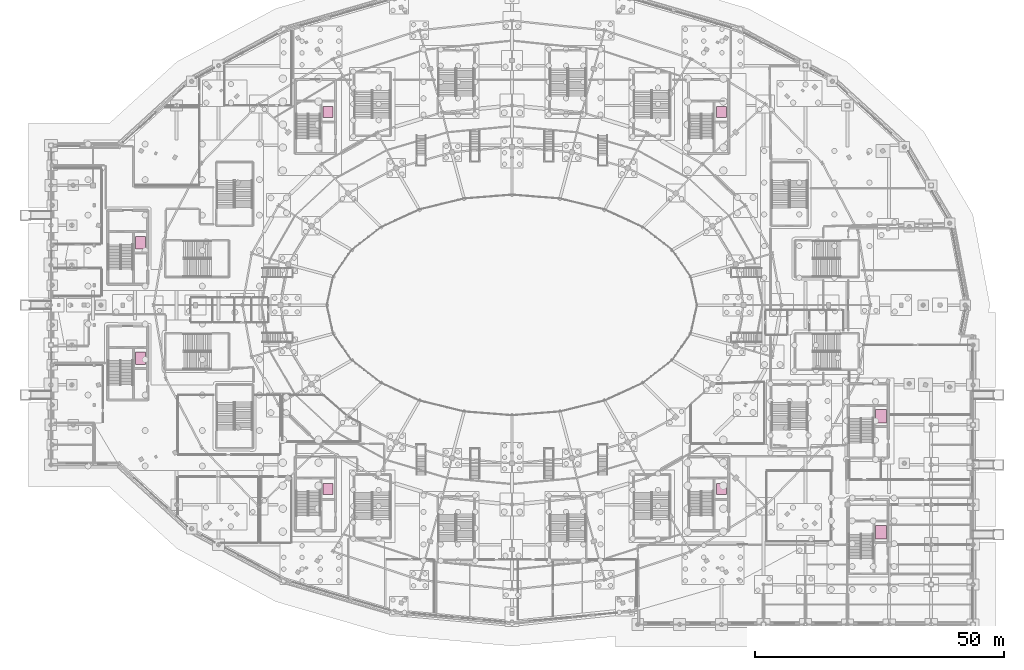
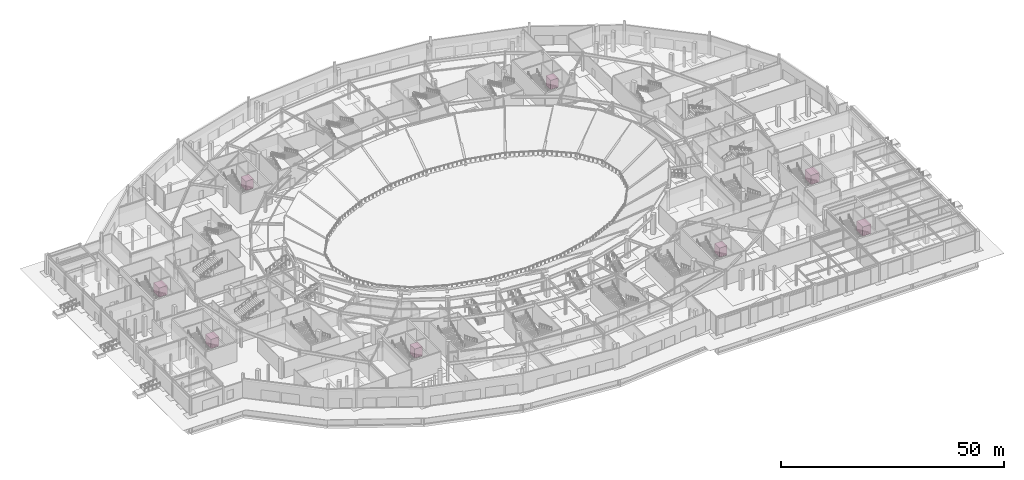
# One storey, part 93 of 93: 8 transport elements.
"""IFC4 building model written with IfcOpenShell, lengths in metres."""

import ifcopenshell
import ifcopenshell.guid

model = None  # the IFC model being written
_history = None  # IfcOwnerHistory: only IFC2X3 demands one
_inside = {}  # id of a spatial element -> (the spatial element, [elements in it])
_under = {}  # id of a project, library or spatial element -> (it, [spatial elements below it])
_declared = {}  # id of a project -> (the project, [libraries it declares])
_typed = {}  # id of a type object -> (the type object, [elements of that type])
_made_of = {}  # id of a material, layer set ... -> (it, [elements and type objects made of it])


def new_model(schema):
    """Start an empty IFC model of exactly this schema.

    Asked for "IFC4X3", IfcOpenShell would pick the latest addendum, in which some entities
    have other attributes; the version numbers below select the first issue.
    IFC2X3 requires an IfcOwnerHistory on every rooted entity: one is made here for all.
    """
    global model, _history
    if schema == "IFC4X3":
        model = ifcopenshell.file(schema_version=(4, 3, 0, 0))
    else:
        model = ifcopenshell.file(schema=schema)
    _inside.clear()
    _under.clear()
    _declared.clear()
    _typed.clear()
    _made_of.clear()
    _history = None
    if model.schema == "IFC2X3":
        org = make("IfcOrganization", Name="unknown")
        user = make(
            "IfcPersonAndOrganization",
            ThePerson=make("IfcPerson", FamilyName="unknown"),
            TheOrganization=org,
        )
        app = make(
            "IfcApplication",
            ApplicationDeveloper=org,
            Version="unknown",
            ApplicationFullName="unknown",
            ApplicationIdentifier="unknown",
        )
        _history = make(
            "IfcOwnerHistory",
            OwningUser=user,
            OwningApplication=app,
            ChangeAction="ADDED",
            CreationDate=0,
        )
    return model


def make(cls, **values):
    """One entity of the class cls with the attributes given. An attribute that is None is left unset."""
    return model.create_entity(
        cls, **{name: value for name, value in values.items() if value is not None}
    )


def rooted(cls, **values):
    """An entity with a GlobalId (a new one), such as an element, a storey or a relation."""
    return make(cls, GlobalId=ifcopenshell.guid.new(), OwnerHistory=_history, **values)


def si_unit(unit_type, name, prefix=None):
    """IfcSIUnit, for example si_unit("LENGTHUNIT", "METRE", prefix="MILLI")."""
    return make("IfcSIUnit", UnitType=unit_type, Prefix=prefix, Name=name)


def assignment(units):
    """IfcUnitAssignment: the units of a project."""
    return None if units is None else make("IfcUnitAssignment", Units=units)


def point(xyz):
    """IfcCartesianPoint."""
    return None if xyz is None else make("IfcCartesianPoint", Coordinates=xyz)


def direction(xyz):
    """IfcDirection."""
    return None if xyz is None else make("IfcDirection", DirectionRatios=xyz)


def frame(location, z_axis=None, x_axis=None):
    """IfcAxis2Placement3D, a coordinate frame: its origin and axes. An axis left out is left unset."""
    return make(
        "IfcAxis2Placement3D",
        Location=point(location),
        Axis=direction(z_axis),
        RefDirection=direction(x_axis),
    )


def frame_2d(location, x_axis=None):
    """IfcAxis2Placement2D, a coordinate frame in the plane: its origin and x axis."""
    return make(
        "IfcAxis2Placement2D", Location=point(location), RefDirection=direction(x_axis)
    )


def origin():
    """The frame at (0, 0, 0) with its axes left unset."""
    return frame((0.0, 0.0, 0.0))


def origin_2d():
    """The frame at (0, 0) in the plane with its x axis left unset."""
    return frame_2d((0.0, 0.0))


def place(relative_to, where):
    """IfcLocalPlacement: puts the frame where relative to a parent placement (None: the world)."""
    return make(
        "IfcLocalPlacement", PlacementRelTo=relative_to, RelativePlacement=where
    )


def context(
    kind, dimensions, precision=None, world=None, true_north=None, identifier=None
):
    """IfcGeometricRepresentationContext, for example the 3D "Model" context."""
    return make(
        "IfcGeometricRepresentationContext",
        ContextIdentifier=identifier,
        ContextType=kind,
        CoordinateSpaceDimension=dimensions,
        Precision=precision,
        WorldCoordinateSystem=world,
        TrueNorth=true_north,
    )


def subcontext(parent, identifier, kind, view, scale=None):
    """IfcGeometricRepresentationSubContext, for example "Body" below "Model"."""
    return make(
        "IfcGeometricRepresentationSubContext",
        ContextIdentifier=identifier,
        ContextType=kind,
        ParentContext=parent,
        TargetScale=scale,
        TargetView=view,
    )


def project(units=None, contexts=None):
    """IfcProject with its units and contexts."""
    return rooted(
        "IfcProject",
        Name="project",
        RepresentationContexts=contexts,
        UnitsInContext=assignment(units),
    )


def spatial(cls, under=None, at=None, **own):
    """A site, building, storey or space (cls), placed at a placement, below another one or the project."""
    s = rooted(cls, ObjectPlacement=at, **own)
    if under is not None:
        _under.setdefault(under.id(), (under, []))[1].append(s)
    return s


def profile(cls, at=None, kind="AREA", **sizes):
    """A parametric profile (cls). Its sizes go by their IFC names, for example OverallWidth=200.0."""
    return make(cls, ProfileType=kind, Position=at, **sizes)


def rectangle(**sizes):
    """IfcRectangleProfileDef."""
    return profile("IfcRectangleProfileDef", **sizes)


def extrude(swept, where, along, depth):
    """IfcExtrudedAreaSolid: the profile swept, set in the frame where, extruded along a direction by depth."""
    return make(
        "IfcExtrudedAreaSolid",
        SweptArea=swept,
        Position=where,
        ExtrudedDirection=direction(along),
        Depth=depth,
    )


def shape(context_of_items, identifier, shape_type, items):
    """IfcShapeRepresentation: the items that make up one representation, for example the "Body"."""
    return make(
        "IfcShapeRepresentation",
        ContextOfItems=context_of_items,
        RepresentationIdentifier=identifier,
        RepresentationType=shape_type,
        Items=items,
    )


def material(Name=None, Category=None):
    """IfcMaterial."""
    return make("IfcMaterial", Name=Name, Category=Category)


def made_of(thing, what):
    """Note that an element or type object is made of a material, layer set ...; save() writes the relation."""
    if what is not None:
        _made_of.setdefault(what.id(), (what, []))[1].append(thing)
    return thing


def type_object(cls, material=None, **own):
    """A type object (cls), such as IfcWallType, which elements share."""
    return made_of(rooted(cls, **own), material)


def element(
    cls,
    number,
    at=None,
    inside=None,
    cuts=None,
    type_object=None,
    material=None,
    context=None,
    identifier="Body",
    shape_type=None,
    held_by="IfcProductDefinitionShape",
    body=None,
    shapes=None,
    **own,
):
    """One element of the class cls, such as IfcWall. Its Tag is "e" and its number.

    at: its placement. inside: the storey or other place that contains it. cuts: it is an
    opening in that element (IfcRelVoidsElement). A single representation is given by context,
    identifier, shape_type and body (its items); several are given by shapes. held_by: the class
    of the entity that holds the representations. save() writes the other relations.
    """
    e = rooted(cls, Tag="e%d" % number, ObjectPlacement=at, **own)
    if body is not None:
        shapes = [shape(context, identifier, shape_type, body)]
    if shapes is not None:
        e.Representation = make(held_by, Representations=shapes)
    if inside is not None:
        _inside.setdefault(inside.id(), (inside, []))[1].append(e)
    if cuts is not None:
        rooted(
            "IfcRelVoidsElement", RelatingBuildingElement=cuts, RelatedOpeningElement=e
        )
    if type_object is not None:
        _typed.setdefault(type_object.id(), (type_object, []))[1].append(e)
    return made_of(e, material)


def aggregate(whole, parts):
    """IfcRelAggregates: a whole, such as a stair, and the parts it consists of."""
    return rooted("IfcRelAggregates", RelatingObject=whole, RelatedObjects=parts)


def save(model, path):
    """Write the relations noted so far, then the file.

    IfcRelAggregates (storeys below a building ...), IfcRelContainedInSpatialStructure (elements
    in a storey), IfcRelDefinesByType, IfcRelAssociatesMaterial and IfcRelDeclares: one each for
    every whole, place, type object, material and project.
    """
    for whole, parts in _under.values():
        aggregate(whole, parts)
    for where, things in _inside.values():
        rooted(
            "IfcRelContainedInSpatialStructure",
            RelatedElements=things,
            RelatingStructure=where,
        )
    for kind, things in _typed.values():
        rooted("IfcRelDefinesByType", RelatedObjects=things, RelatingType=kind)
    for what, things in _made_of.values():
        rooted("IfcRelAssociatesMaterial", RelatedObjects=things, RelatingMaterial=what)
    for by, libraries in _declared.values():
        rooted("IfcRelDeclares", RelatingContext=by, RelatedDefinitions=libraries)
    model.write(path)


model = new_model("IFC4")

# Units and contexts
model_context = context("Model", 3, precision=1e-05, world=origin(), true_north=direction((0.0, 1.0)))
body_context = subcontext(model_context, "Body", "Model", "MODEL_VIEW")
ifc_project = project(units=[si_unit("LENGTHUNIT", "METRE"), si_unit("AREAUNIT", "SQUARE_METRE"), si_unit("VOLUMEUNIT", "CUBIC_METRE"), si_unit("PLANEANGLEUNIT", "RADIAN"), si_unit("MASSUNIT", "GRAM", prefix="KILO")], contexts=[model_context])

# Site, building, storey
site_placement = place(None, origin())
site = spatial("IfcSite", under=ifc_project, at=site_placement, CompositionType="ELEMENT")
building_placement = place(site_placement, origin())
building = spatial("IfcBuilding", under=site, at=building_placement, Name="Kalgoora Escarpment Arena", CompositionType="ELEMENT")
storey_placement = place(building_placement, origin())
storey = spatial("IfcBuildingStorey", under=building, at=storey_placement, Name="L00", CompositionType="ELEMENT", Elevation=0.0)

# Transport elements
ifc_material_1 = material(Name="Brushed stainless steel & champagne bronze lift car", Category="steel")
transport_element_type_1 = type_object("IfcTransportElementType", Name="LFT-EL1", PredefinedType="ELEVATOR", material=ifc_material_1)
transport_element_1_placement = place(storey_placement, frame((17.949951171875, 76.5, 0.0), z_axis=(0.0, 0.0, 1.0), x_axis=(1.0, 0.0, 0.0)))
element("IfcTransportElement", 1, at=transport_element_1_placement, inside=storey, type_object=transport_element_type_1, Name="Firefighting elevator EL1", PredefinedType="ELEVATOR", context=body_context, shape_type="SweptSolid", body=[
    extrude(rectangle(XDim=2.10009765625, YDim=2.5, at=origin_2d()), origin(), (0.0, 0.0, 1.0), 2.5),
])
ifc_material_2 = material(Name="Brushed stainless steel & champagne bronze lift car", Category="steel")
transport_element_type_2 = type_object("IfcTransportElementType", Name="LFT-EL2", PredefinedType="ELEVATOR", material=ifc_material_2)
transport_element_2_placement = place(storey_placement, frame((17.949951171875, 53.300048828125, 0.0), z_axis=(0.0, 0.0, 1.0), x_axis=(1.0, 0.0, 0.0)))
element("IfcTransportElement", 2, at=transport_element_2_placement, inside=storey, type_object=transport_element_type_2, Name="Firefighting elevator EL2", PredefinedType="ELEVATOR", context=body_context, shape_type="SweptSolid", body=[
    extrude(rectangle(XDim=2.10009765625, YDim=2.5, at=origin_2d()), origin(), (0.0, 0.0, 1.0), 2.5),
])
ifc_material_3 = material(Name="Brushed stainless steel & champagne bronze lift car", Category="steel")
transport_element_type_3 = type_object("IfcTransportElementType", Name="LFT-GL1", PredefinedType="ELEVATOR", material=ifc_material_3)
transport_element_3_placement = place(storey_placement, frame((166.35009765625, 41.699951171875, 0.0), z_axis=(0.0, 0.0, 1.0), x_axis=(1.0, 0.0, 0.0)))
element("IfcTransportElement", 3, at=transport_element_3_placement, inside=storey, type_object=transport_element_type_3, Name="Passenger elevator GL1", PredefinedType="ELEVATOR", context=body_context, shape_type="SweptSolid", body=[
    extrude(rectangle(XDim=2.199951171875, YDim=2.75, at=origin_2d()), origin(), (0.0, 0.0, 1.0), 2.5),
])
ifc_material_4 = material(Name="Brushed stainless steel & champagne bronze lift car", Category="steel")
transport_element_type_4 = type_object("IfcTransportElementType", Name="LFT-GL2", PredefinedType="ELEVATOR", material=ifc_material_4)
transport_element_4_placement = place(storey_placement, frame((166.35009765625, 18.5, 0.0), z_axis=(0.0, 0.0, 1.0), x_axis=(1.0, 0.0, 0.0)))
element("IfcTransportElement", 4, at=transport_element_4_placement, inside=storey, type_object=transport_element_type_4, Name="Passenger elevator GL2", PredefinedType="ELEVATOR", context=body_context, shape_type="SweptSolid", body=[
    extrude(rectangle(XDim=2.199951171875, YDim=2.75, at=origin_2d()), origin(), (0.0, 0.0, 1.0), 2.5),
])
ifc_material_5 = material(Name="Brushed stainless steel & champagne bronze lift car", Category="steel")
transport_element_type_5 = type_object("IfcTransportElementType", Name="LFT-PL1", PredefinedType="ELEVATOR", material=ifc_material_5)
transport_element_5_placement = place(storey_placement, frame((55.550048828125, 102.699951171875, 0.0), z_axis=(0.0, 0.0, 1.0), x_axis=(1.0, 0.0, 0.0)))
element("IfcTransportElement", 5, at=transport_element_5_placement, inside=storey, type_object=transport_element_type_5, Name="Passenger elevator PL1", PredefinedType="ELEVATOR", context=body_context, shape_type="SweptSolid", body=[
    extrude(rectangle(XDim=2.0, YDim=2.199951171875, at=origin_2d()), origin(), (0.0, 0.0, 1.0), 2.5),
])
ifc_material_6 = material(Name="Brushed stainless steel & champagne bronze lift car", Category="steel")
transport_element_type_6 = type_object("IfcTransportElementType", Name="LFT-PL2", PredefinedType="ELEVATOR", material=ifc_material_6)
transport_element_6_placement = place(storey_placement, frame((134.35009765625, 102.699951171875, 0.0), z_axis=(0.0, 0.0, 1.0), x_axis=(1.0, 0.0, 0.0)))
element("IfcTransportElement", 6, at=transport_element_6_placement, inside=storey, type_object=transport_element_type_6, Name="Passenger elevator PL2", PredefinedType="ELEVATOR", context=body_context, shape_type="SweptSolid", body=[
    extrude(rectangle(XDim=2.0, YDim=2.199951171875, at=origin_2d()), origin(), (0.0, 0.0, 1.0), 2.5),
])
ifc_material_7 = material(Name="Brushed stainless steel & champagne bronze lift car", Category="steel")
transport_element_type_7 = type_object("IfcTransportElementType", Name="LFT-PL3", PredefinedType="ELEVATOR", material=ifc_material_7)
transport_element_7_placement = place(storey_placement, frame((55.550048828125, 27.10009765625, 0.0), z_axis=(0.0, 0.0, 1.0), x_axis=(1.0, 0.0, 0.0)))
element("IfcTransportElement", 7, at=transport_element_7_placement, inside=storey, type_object=transport_element_type_7, Name="Passenger elevator PL3", PredefinedType="ELEVATOR", context=body_context, shape_type="SweptSolid", body=[
    extrude(rectangle(XDim=2.0, YDim=2.199951171875, at=origin_2d()), origin(), (0.0, 0.0, 1.0), 2.5),
])
ifc_material_8 = material(Name="Brushed stainless steel & champagne bronze lift car", Category="steel")
transport_element_type_8 = type_object("IfcTransportElementType", Name="LFT-PL4", PredefinedType="ELEVATOR", material=ifc_material_8)
transport_element_8_placement = place(storey_placement, frame((134.35009765625, 27.10009765625, 0.0), z_axis=(0.0, 0.0, 1.0), x_axis=(1.0, 0.0, 0.0)))
element("IfcTransportElement", 8, at=transport_element_8_placement, inside=storey, type_object=transport_element_type_8, Name="Passenger elevator PL4", PredefinedType="ELEVATOR", context=body_context, shape_type="SweptSolid", body=[
    extrude(rectangle(XDim=2.0, YDim=2.199951171875, at=origin_2d()), origin(), (0.0, 0.0, 1.0), 2.5),
])

save(model, "model.ifc")
